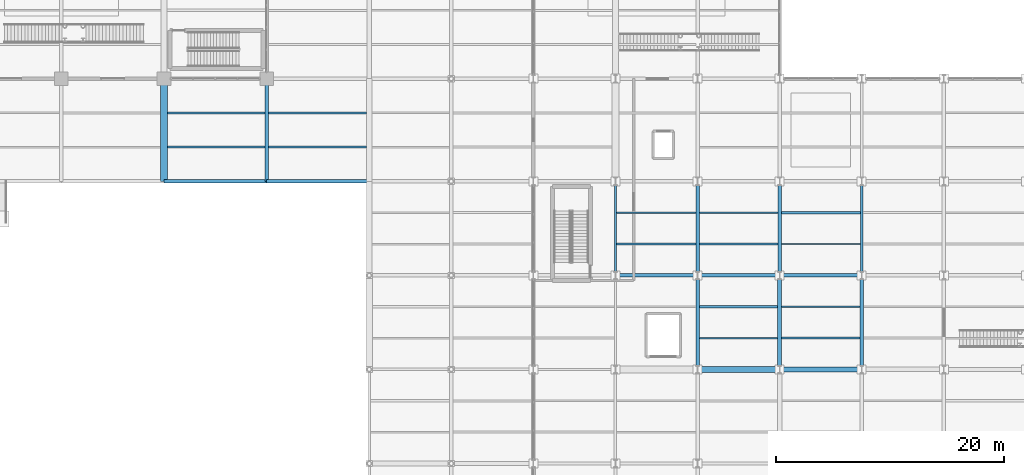
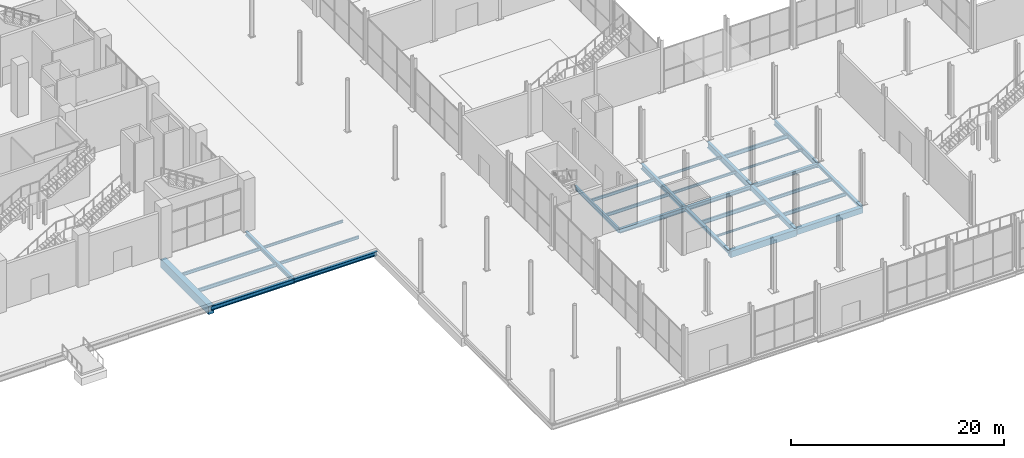
# One storey, part 34 of 144: 30 beams.
"""IFC4 building model written with IfcOpenShell, lengths in metres."""

from ifc_helpers import new_model, si_unit, direction, frame, origin, origin_2d, place, context, subcontext, project, spatial, rectangle, i_section, extrude, material, material_profile, profile_set, type_object, element, save


model = new_model("IFC4")

# Units and contexts
model_context = context("Model", 3, precision=1e-05, world=origin(), true_north=direction((0.0, 1.0)))
body_context = subcontext(model_context, "Body", "Model", "MODEL_VIEW")
ifc_project = project(units=[si_unit("LENGTHUNIT", "METRE"), si_unit("AREAUNIT", "SQUARE_METRE"), si_unit("VOLUMEUNIT", "CUBIC_METRE"), si_unit("PLANEANGLEUNIT", "RADIAN"), si_unit("MASSUNIT", "GRAM", prefix="KILO")], contexts=[model_context])

# Site, building, storey
site_placement = place(None, origin())
site = spatial("IfcSite", under=ifc_project, at=site_placement, CompositionType="ELEMENT")
building_placement = place(site_placement, origin())
building = spatial("IfcBuilding", under=site, at=building_placement, Name="Sundgate Opera House", CompositionType="ELEMENT")
storey_placement = place(building_placement, origin())
storey = spatial("IfcBuildingStorey", under=building, at=storey_placement, Name="L00", CompositionType="ELEMENT", Elevation=0.0)

# Beams
ifc_material_1 = material(Name="Steel S355J2", Category="steel")
ifc_material_profile_1 = material_profile(ifc_material_1, i_section(OverallWidth=0.300048828125, OverallDepth=0.330078125, WebThickness=0.009521484375, FlangeThickness=0.0166015625, at=origin_2d()), Name="HEA 340")
ifc_profile_set_1 = profile_set([ifc_material_profile_1], Name="Steel S355J2")
beam_type_1 = type_object("IfcBeamType", Name="BM-GR-HEA340", PredefinedType="BEAM", material=ifc_profile_set_1)
beam_1_placement = place(storey_placement, frame((124.199951171875, 16.5, -0.485107421875), z_axis=(0.0, 1.0, 0.0), x_axis=(-1.0, 0.0, 0.0)))
element("IfcBeam", 1, at=beam_1_placement, inside=storey, type_object=beam_type_1, Name="L00 Primary N-S Girder B0248", PredefinedType="BEAM", context=body_context, shape_type="SweptSolid", body=[
    extrude(i_section(OverallWidth=0.300048828125, OverallDepth=0.330078125, WebThickness=0.009521484375, FlangeThickness=0.0166015625, at=origin_2d()), origin(), (0.0, 0.0, 1.0), 8.25),
])
ifc_material_2 = material(Name="Steel S355J2", Category="steel")
ifc_material_profile_2 = material_profile(ifc_material_2, i_section(OverallWidth=0.300048828125, OverallDepth=0.389892578125, WebThickness=0.010986328125, FlangeThickness=0.01904296875, at=origin_2d()), Name="HEA 400")
ifc_profile_set_2 = profile_set([ifc_material_profile_2], Name="Steel S355J2")
beam_type_2 = type_object("IfcBeamType", Name="BM-GR-HEA400", PredefinedType="BEAM", material=ifc_profile_set_2)
beam_2_placement = place(storey_placement, frame((117.0, 24.75, -0.514892578125), z_axis=(1.0, 0.0, 0.0), x_axis=(0.0, 1.0, 0.0)))
element("IfcBeam", 2, at=beam_2_placement, inside=storey, type_object=beam_type_2, Name="L00 Primary E-W Girder B0377", PredefinedType="BEAM", context=body_context, shape_type="SweptSolid", body=[
    extrude(i_section(OverallWidth=0.300048828125, OverallDepth=0.389892578125, WebThickness=0.010986328125, FlangeThickness=0.01904296875, at=origin_2d()), origin(), (0.0, 0.0, 1.0), 7.199951171875),
])
ifc_material_3 = material(Name="Steel S355J2", Category="steel")
ifc_material_profile_3 = material_profile(ifc_material_3, i_section(OverallWidth=0.300048828125, OverallDepth=0.43994140625, WebThickness=0.011474609375, FlangeThickness=0.02099609375, at=origin_2d()), Name="HEA 450")
ifc_profile_set_3 = profile_set([ifc_material_profile_3], Name="Steel S355J2")
beam_type_3 = type_object("IfcBeamType", Name="BM-GR-HEA450", PredefinedType="BEAM", material=ifc_profile_set_3)
beam_3_placement = place(storey_placement, frame((109.800048828125, 24.75, -0.5400390625), z_axis=(1.0, 0.0, 0.0), x_axis=(0.0, 1.0, 0.0)))
element("IfcBeam", 3, at=beam_3_placement, inside=storey, type_object=beam_type_3, Name="L00 Primary E-W Girder B0376", PredefinedType="BEAM", context=body_context, shape_type="SweptSolid", body=[
    extrude(i_section(OverallWidth=0.300048828125, OverallDepth=0.43994140625, WebThickness=0.011474609375, FlangeThickness=0.02099609375, at=origin_2d()), origin(), (0.0, 0.0, 1.0), 7.199951171875),
])
ifc_material_4 = material(Name="Steel S355J2", Category="steel")
ifc_material_profile_4 = material_profile(ifc_material_4, i_section(OverallWidth=0.300048828125, OverallDepth=0.489990234375, WebThickness=0.011962890625, FlangeThickness=0.02294921875, at=origin_2d()), Name="HEA 500")
ifc_profile_set_4 = profile_set([ifc_material_profile_4], Name="Steel S355J2")
beam_type_4 = type_object("IfcBeamType", Name="BM-GR-HEA500", PredefinedType="BEAM", material=ifc_profile_set_4)
beam_4_placement = place(storey_placement, frame((102.60009765625, 24.75, -0.56494140625), z_axis=(1.0, 0.0, 0.0), x_axis=(0.0, 1.0, 0.0)))
element("IfcBeam", 4, at=beam_4_placement, inside=storey, type_object=beam_type_4, Name="L00 Primary E-W Girder B0375", PredefinedType="BEAM", context=body_context, shape_type="SweptSolid", body=[
    extrude(i_section(OverallWidth=0.300048828125, OverallDepth=0.489990234375, WebThickness=0.011962890625, FlangeThickness=0.02294921875, at=origin_2d()), origin(), (0.0, 0.0, 1.0), 7.199951171875),
])
ifc_material_5 = material(Name="Steel S355J2", Category="steel")
ifc_material_profile_5 = material_profile(ifc_material_5, i_section(OverallWidth=0.300048828125, OverallDepth=0.590087890625, WebThickness=0.012939453125, FlangeThickness=0.02490234375, at=origin_2d()), Name="HEA 600")
ifc_profile_set_5 = profile_set([ifc_material_profile_5], Name="Steel S355J2")
beam_type_5 = type_object("IfcBeamType", Name="BM-GR-HEA600", PredefinedType="BEAM", material=ifc_profile_set_5)
beam_5_placement = place(storey_placement, frame((109.800048828125, 24.75, -0.614990234375), z_axis=(0.0, 1.0, 0.0), x_axis=(-1.0, 0.0, 0.0)))
element("IfcBeam", 5, at=beam_5_placement, inside=storey, type_object=beam_type_5, Name="L00 Primary N-S Girder B0221", PredefinedType="BEAM", context=body_context, shape_type="SweptSolid", body=[
    extrude(i_section(OverallWidth=0.300048828125, OverallDepth=0.590087890625, WebThickness=0.012939453125, FlangeThickness=0.02490234375, at=origin_2d()), origin(), (0.0, 0.0, 1.0), 8.25),
])
ifc_material_6 = material(Name="Steel S355J2", Category="steel")
ifc_material_profile_6 = material_profile(ifc_material_6, i_section(OverallWidth=0.300048828125, OverallDepth=0.360107421875, WebThickness=0.012451171875, FlangeThickness=0.0224609375, at=origin_2d()), Name="HEB 360")
ifc_profile_set_6 = profile_set([ifc_material_profile_6], Name="Steel S355J2")
beam_type_6 = type_object("IfcBeamType", Name="BM-GR-HEB360", PredefinedType="BEAM", material=ifc_profile_set_6)
beam_6_placement = place(storey_placement, frame((109.800048828125, 16.5, -0.5), z_axis=(0.0, 1.0, 0.0), x_axis=(-1.0, 0.0, 0.0)))
element("IfcBeam", 6, at=beam_6_placement, inside=storey, type_object=beam_type_6, Name="L00 Primary N-S Girder B0220", PredefinedType="BEAM", context=body_context, shape_type="SweptSolid", body=[
    extrude(i_section(OverallWidth=0.300048828125, OverallDepth=0.360107421875, WebThickness=0.012451171875, FlangeThickness=0.0224609375, at=origin_2d()), origin(), (0.0, 0.0, 1.0), 8.25),
])
ifc_material_7 = material(Name="Steel S355J2", Category="steel")
ifc_material_profile_7 = material_profile(ifc_material_7, i_section(OverallWidth=0.300048828125, OverallDepth=0.449951171875, WebThickness=0.013916015625, FlangeThickness=0.02587890625, at=origin_2d()), Name="HEB 450")
ifc_profile_set_7 = profile_set([ifc_material_profile_7], Name="Steel S355J2")
beam_type_7 = type_object("IfcBeamType", Name="BM-GR-HEB450", PredefinedType="BEAM", material=ifc_profile_set_7)
for number, where, z_axis, x_axis, name in (
    (7, (72.0, 33.0, -0.544921875), (0.0, 1.0, 0.0), (-1.0, 0.0, 0.0), "L00 Primary N-S Girder B0152"),
    (8, (72.0, 33.0, -0.544921875), (1.0, 0.0, 0.0), (0.0, 1.0, 0.0), "L00 Primary E-W Girder B0393"),
):
    element("IfcBeam", number, at=place(storey_placement, frame(where, z_axis=z_axis, x_axis=x_axis)), inside=storey, type_object=beam_type_7, Name=name, PredefinedType="BEAM", context=body_context, shape_type="SweptSolid", body=[
        extrude(i_section(OverallWidth=0.300048828125, OverallDepth=0.449951171875, WebThickness=0.013916015625, FlangeThickness=0.02587890625, at=origin_2d()), origin(), (0.0, 0.0, 1.0), 9.0),
    ])
ifc_material_8 = material(Name="Steel S355J2", Category="steel")
ifc_material_profile_8 = material_profile(ifc_material_8, i_section(OverallWidth=0.300048828125, OverallDepth=0.5, WebThickness=0.014404296875, FlangeThickness=0.028076171875, at=origin_2d()), Name="HEB 500")
ifc_profile_set_8 = profile_set([ifc_material_profile_8], Name="Steel S355J2")
beam_type_8 = type_object("IfcBeamType", Name="BM-GR-HEB500", PredefinedType="BEAM", material=ifc_profile_set_8)
beam_7_placement = place(storey_placement, frame((63.0, 33.0, -0.570068359375), z_axis=(1.0, 0.0, 0.0), x_axis=(0.0, 1.0, 0.0)))
element("IfcBeam", 9, at=beam_7_placement, inside=storey, type_object=beam_type_8, Name="L00 Primary E-W Girder B0392", PredefinedType="BEAM", context=body_context, shape_type="SweptSolid", body=[
    extrude(i_section(OverallWidth=0.300048828125, OverallDepth=0.5, WebThickness=0.014404296875, FlangeThickness=0.028076171875, at=origin_2d()), origin(), (0.0, 0.0, 1.0), 9.0),
])
ifc_material_9 = material(Name="Steel S355J2", Category="steel")
ifc_material_profile_9 = material_profile(ifc_material_9, i_section(OverallWidth=0.300048828125, OverallDepth=0.699951171875, WebThickness=0.01708984375, FlangeThickness=0.031982421875, at=origin_2d()), Name="HEB 700")
ifc_profile_set_9 = profile_set([ifc_material_profile_9], Name="Steel S355J2")
beam_type_9 = type_object("IfcBeamType", Name="BM-GR-HEB700", PredefinedType="BEAM", material=ifc_profile_set_9)
beam_8_placement = place(storey_placement, frame((117.0, 24.75, -0.669921875), z_axis=(0.0, 1.0, 0.0), x_axis=(-1.0, 0.0, 0.0)))
element("IfcBeam", 10, at=beam_8_placement, inside=storey, type_object=beam_type_9, Name="L00 Primary N-S Girder B0235", PredefinedType="BEAM", context=body_context, shape_type="SweptSolid", body=[
    extrude(i_section(OverallWidth=0.300048828125, OverallDepth=0.699951171875, WebThickness=0.01708984375, FlangeThickness=0.031982421875, at=origin_2d()), origin(), (0.0, 0.0, 1.0), 8.25),
])
ifc_material_10 = material(Name="Steel S355J2", Category="steel")
ifc_material_profile_10 = material_profile(ifc_material_10, i_section(OverallWidth=0.199951171875, OverallDepth=0.5, WebThickness=0.01025390625, FlangeThickness=0.01611328125, at=origin_2d()), Name="IPE 500")
ifc_profile_set_10 = profile_set([ifc_material_profile_10], Name="Steel S355J2")
beam_type_10 = type_object("IfcBeamType", Name="BM-GR-IPE500", PredefinedType="BEAM", material=ifc_profile_set_10)
beam_9_placement = place(storey_placement, frame((102.60009765625, 24.75, -0.570068359375), z_axis=(0.0, 1.0, 0.0), x_axis=(-1.0, 0.0, 0.0)))
element("IfcBeam", 11, at=beam_9_placement, inside=storey, type_object=beam_type_10, Name="L00 Primary N-S Girder B0207", PredefinedType="BEAM", context=body_context, shape_type="SweptSolid", body=[
    extrude(i_section(OverallWidth=0.199951171875, OverallDepth=0.5, WebThickness=0.01025390625, FlangeThickness=0.01611328125, at=origin_2d()), origin(), (0.0, 0.0, 1.0), 8.25),
])
ifc_material_11 = material(Name="Steel S355J2", Category="steel")
ifc_material_profile_11 = material_profile(ifc_material_11, i_section(OverallWidth=0.219970703125, OverallDepth=0.60009765625, WebThickness=0.011962890625, FlangeThickness=0.01904296875, at=origin_2d()), Name="IPE 600")
ifc_profile_set_11 = profile_set([ifc_material_profile_11], Name="Steel S355J2")
beam_type_11 = type_object("IfcBeamType", Name="BM-GR-IPE600", PredefinedType="BEAM", material=ifc_profile_set_11)
beam_10_placement = place(storey_placement, frame((124.199951171875, 24.75, -0.6201171875), z_axis=(0.0, 1.0, 0.0), x_axis=(-1.0, 0.0, 0.0)))
element("IfcBeam", 12, at=beam_10_placement, inside=storey, type_object=beam_type_11, Name="L00 Primary N-S Girder B0249", PredefinedType="BEAM", context=body_context, shape_type="SweptSolid", body=[
    extrude(i_section(OverallWidth=0.219970703125, OverallDepth=0.60009765625, WebThickness=0.011962890625, FlangeThickness=0.01904296875, at=origin_2d()), origin(), (0.0, 0.0, 1.0), 8.25),
])
ifc_material_12 = material(Name="Steel S355J2", Category="steel")
ifc_material_profile_12 = material_profile(ifc_material_12, i_section(OverallWidth=0.1201171875, OverallDepth=0.239990234375, WebThickness=0.006103515625, FlangeThickness=0.009765625, at=origin_2d()), Name="IPE 240")
ifc_profile_set_12 = profile_set([ifc_material_profile_12], Name="Steel S355J2")
beam_type_12 = type_object("IfcBeamType", Name="BM-JS-IPE240", PredefinedType="JOIST", material=ifc_profile_set_12)
beam_11_placement = place(storey_placement, frame((109.949951171875, 19.25, -0.43994140625), z_axis=(1.0, 0.0, 0.0), x_axis=(0.0, 1.0, 0.0)))
element("IfcBeam", 13, at=beam_11_placement, inside=storey, type_object=beam_type_12, Name="L00 Secondary Floor Joist B0664", PredefinedType="JOIST", context=body_context, shape_type="SweptSolid", body=[
    extrude(i_section(OverallWidth=0.1201171875, OverallDepth=0.239990234375, WebThickness=0.006103515625, FlangeThickness=0.009765625, at=origin_2d()), origin(), (0.0, 0.0, 1.0), 6.875),
])
beam_12_placement = place(storey_placement, frame((117.14990234375, 27.5, -0.43994140625), z_axis=(1.0, 0.0, 0.0), x_axis=(0.0, 1.0, 0.0)))
element("IfcBeam", 14, at=beam_12_placement, inside=storey, type_object=beam_type_12, Name="L00 Secondary Floor Joist B0692", PredefinedType="JOIST", context=body_context, shape_type="SweptSolid", body=[
    extrude(i_section(OverallWidth=0.1201171875, OverallDepth=0.239990234375, WebThickness=0.006103515625, FlangeThickness=0.009765625, at=origin_2d()), origin(), (0.0, 0.0, 1.0), 6.940185546875),
])
ifc_material_13 = material(Name="Steel S355J2", Category="steel")
ifc_material_profile_13 = material_profile(ifc_material_13, i_section(OverallWidth=0.135009765625, OverallDepth=0.27001953125, WebThickness=0.006591796875, FlangeThickness=0.01025390625, at=origin_2d()), Name="IPE 270")
ifc_profile_set_13 = profile_set([ifc_material_profile_13], Name="Steel S355J2")
beam_type_13 = type_object("IfcBeamType", Name="BM-JS-IPE270", PredefinedType="JOIST", material=ifc_profile_set_13)
beam_13_placement = place(storey_placement, frame((109.949951171875, 30.25, -0.455078125), z_axis=(1.0, 0.0, 0.0), x_axis=(0.0, 1.0, 0.0)))
element("IfcBeam", 15, at=beam_13_placement, inside=storey, type_object=beam_type_13, Name="L00 Secondary Floor Joist B0691", PredefinedType="JOIST", context=body_context, shape_type="SweptSolid", body=[
    extrude(i_section(OverallWidth=0.135009765625, OverallDepth=0.27001953125, WebThickness=0.006591796875, FlangeThickness=0.01025390625, at=origin_2d()), origin(), (0.0, 0.0, 1.0), 6.900146484375),
])
ifc_material_14 = material(Name="Steel S355J2", Category="steel")
ifc_material_profile_14 = material_profile(ifc_material_14, i_section(OverallWidth=0.14990234375, OverallDepth=0.300048828125, WebThickness=0.007080078125, FlangeThickness=0.0107421875, at=origin_2d()), Name="IPE 300")
ifc_profile_set_14 = profile_set([ifc_material_profile_14], Name="Steel S355J2")
beam_type_14 = type_object("IfcBeamType", Name="BM-JS-IPE300", PredefinedType="JOIST", material=ifc_profile_set_14)
beam_14_placement = place(storey_placement, frame((109.949951171875, 27.5, -0.469970703125), z_axis=(1.0, 0.0, 0.0), x_axis=(0.0, 1.0, 0.0)))
element("IfcBeam", 16, at=beam_14_placement, inside=storey, type_object=beam_type_14, Name="L00 Secondary Floor Joist B0690", PredefinedType="JOIST", context=body_context, shape_type="SweptSolid", body=[
    extrude(i_section(OverallWidth=0.14990234375, OverallDepth=0.300048828125, WebThickness=0.007080078125, FlangeThickness=0.0107421875, at=origin_2d()), origin(), (0.0, 0.0, 1.0), 6.900146484375),
])
beam_15_placement = place(storey_placement, frame((72.14990234375, 39.0, -0.469970703125), z_axis=(1.0, 0.0, 0.0), x_axis=(0.0, 1.0, 0.0)))
element("IfcBeam", 17, at=beam_15_placement, inside=storey, type_object=beam_type_14, Name="L00 Secondary Floor Joist B0725", PredefinedType="JOIST", context=body_context, shape_type="SweptSolid", body=[
    extrude(i_section(OverallWidth=0.14990234375, OverallDepth=0.300048828125, WebThickness=0.007080078125, FlangeThickness=0.0107421875, at=origin_2d()), origin(), (0.0, 0.0, 1.0), 8.625),
])
ifc_material_15 = material(Name="Steel S355J2", Category="steel")
ifc_material_profile_15 = material_profile(ifc_material_15, i_section(OverallWidth=0.159912109375, OverallDepth=0.330078125, WebThickness=0.007568359375, FlangeThickness=0.011474609375, at=origin_2d()), Name="IPE 330")
ifc_profile_set_15 = profile_set([ifc_material_profile_15], Name="Steel S355J2")
beam_type_15 = type_object("IfcBeamType", Name="BM-JS-IPE330", PredefinedType="JOIST", material=ifc_profile_set_15)
beam_16_placement = place(storey_placement, frame((102.699951171875, 30.25, -0.485107421875), z_axis=(1.0, 0.0, 0.0), x_axis=(0.0, 1.0, 0.0)))
element("IfcBeam", 18, at=beam_16_placement, inside=storey, type_object=beam_type_15, Name="L00 Secondary Floor Joist B0689", PredefinedType="JOIST", context=body_context, shape_type="SweptSolid", body=[
    extrude(i_section(OverallWidth=0.159912109375, OverallDepth=0.330078125, WebThickness=0.007568359375, FlangeThickness=0.011474609375, at=origin_2d()), origin(), (0.0, 0.0, 1.0), 6.949951171875),
])
beam_17_placement = place(storey_placement, frame((72.14990234375, 36.0, -0.485107421875), z_axis=(1.0, 0.0, 0.0), x_axis=(0.0, 1.0, 0.0)))
element("IfcBeam", 19, at=beam_17_placement, inside=storey, type_object=beam_type_15, Name="L00 Secondary Floor Joist B0724", PredefinedType="JOIST", context=body_context, shape_type="SweptSolid", body=[
    extrude(i_section(OverallWidth=0.159912109375, OverallDepth=0.330078125, WebThickness=0.007568359375, FlangeThickness=0.011474609375, at=origin_2d()), origin(), (0.0, 0.0, 1.0), 8.625),
])
ifc_material_16 = material(Name="Steel S355J2", Category="steel")
ifc_material_profile_16 = material_profile(ifc_material_16, i_section(OverallWidth=0.169921875, OverallDepth=0.360107421875, WebThickness=0.008056640625, FlangeThickness=0.0126953125, at=origin_2d()), Name="IPE 360")
ifc_profile_set_16 = profile_set([ifc_material_profile_16], Name="Steel S355J2")
beam_type_16 = type_object("IfcBeamType", Name="BM-JS-IPE360", PredefinedType="JOIST", material=ifc_profile_set_16)
beam_18_placement = place(storey_placement, frame((117.175048828125, 22.0, -0.5), z_axis=(1.0, 0.0, 0.0), x_axis=(0.0, 1.0, 0.0)))
element("IfcBeam", 20, at=beam_18_placement, inside=storey, type_object=beam_type_16, Name="L00 Secondary Floor Joist B0667", PredefinedType="JOIST", context=body_context, shape_type="SweptSolid", body=[
    extrude(i_section(OverallWidth=0.169921875, OverallDepth=0.360107421875, WebThickness=0.008056640625, FlangeThickness=0.0126953125, at=origin_2d()), origin(), (0.0, 0.0, 1.0), 6.875),
])
beam_19_placement = place(storey_placement, frame((102.699951171875, 27.5, -0.5), z_axis=(1.0, 0.0, 0.0), x_axis=(0.0, 1.0, 0.0)))
element("IfcBeam", 21, at=beam_19_placement, inside=storey, type_object=beam_type_16, Name="L00 Secondary Floor Joist B0688", PredefinedType="JOIST", context=body_context, shape_type="SweptSolid", body=[
    extrude(i_section(OverallWidth=0.169921875, OverallDepth=0.360107421875, WebThickness=0.008056640625, FlangeThickness=0.0126953125, at=origin_2d()), origin(), (0.0, 0.0, 1.0), 6.949951171875),
])
beam_20_placement = place(storey_placement, frame((63.300048828125, 39.0, -0.5), z_axis=(1.0, 0.0, 0.0), x_axis=(0.0, 1.0, 0.0)))
element("IfcBeam", 22, at=beam_20_placement, inside=storey, type_object=beam_type_16, Name="L00 Secondary Floor Joist B0723", PredefinedType="JOIST", context=body_context, shape_type="SweptSolid", body=[
    extrude(i_section(OverallWidth=0.169921875, OverallDepth=0.360107421875, WebThickness=0.008056640625, FlangeThickness=0.0126953125, at=origin_2d()), origin(), (0.0, 0.0, 1.0), 8.550048828125),
])
ifc_material_17 = material(Name="Steel S355J2", Category="steel")
ifc_material_profile_17 = material_profile(ifc_material_17, i_section(OverallWidth=0.179931640625, OverallDepth=0.39990234375, WebThickness=0.008544921875, FlangeThickness=0.013427734375, at=origin_2d()), Name="IPE 400")
ifc_profile_set_17 = profile_set([ifc_material_profile_17], Name="Steel S355J2")
beam_type_17 = type_object("IfcBeamType", Name="BM-JS-IPE400", PredefinedType="JOIST", material=ifc_profile_set_17)
beam_21_placement = place(storey_placement, frame((117.175048828125, 19.25, -0.52001953125), z_axis=(1.0, 0.0, 0.0), x_axis=(0.0, 1.0, 0.0)))
element("IfcBeam", 23, at=beam_21_placement, inside=storey, type_object=beam_type_17, Name="L00 Secondary Floor Joist B0666", PredefinedType="JOIST", context=body_context, shape_type="SweptSolid", body=[
    extrude(i_section(OverallWidth=0.179931640625, OverallDepth=0.39990234375, WebThickness=0.008544921875, FlangeThickness=0.013427734375, at=origin_2d()), origin(), (0.0, 0.0, 1.0), 6.875),
])
beam_22_placement = place(storey_placement, frame((63.300048828125, 36.0, -0.52001953125), z_axis=(1.0, 0.0, 0.0), x_axis=(0.0, 1.0, 0.0)))
element("IfcBeam", 24, at=beam_22_placement, inside=storey, type_object=beam_type_17, Name="L00 Secondary Floor Joist B0722", PredefinedType="JOIST", context=body_context, shape_type="SweptSolid", body=[
    extrude(i_section(OverallWidth=0.179931640625, OverallDepth=0.39990234375, WebThickness=0.008544921875, FlangeThickness=0.013427734375, at=origin_2d()), origin(), (0.0, 0.0, 1.0), 8.550048828125),
])
ifc_material_18 = material(Name="Steel S355J2", Category="steel")
ifc_material_profile_18 = material_profile(ifc_material_18, i_section(OverallWidth=0.18994140625, OverallDepth=0.449951171875, WebThickness=0.009521484375, FlangeThickness=0.0146484375, at=origin_2d()), Name="IPE 450")
ifc_profile_set_18 = profile_set([ifc_material_profile_18], Name="Steel S355J2")
beam_type_18 = type_object("IfcBeamType", Name="BM-JS-IPE450", PredefinedType="JOIST", material=ifc_profile_set_18)
beam_23_placement = place(storey_placement, frame((109.949951171875, 22.0, -0.544921875), z_axis=(1.0, 0.0, 0.0), x_axis=(0.0, 1.0, 0.0)))
element("IfcBeam", 25, at=beam_23_placement, inside=storey, type_object=beam_type_18, Name="L00 Secondary Floor Joist B0665", PredefinedType="JOIST", context=body_context, shape_type="SweptSolid", body=[
    extrude(i_section(OverallWidth=0.18994140625, OverallDepth=0.449951171875, WebThickness=0.009521484375, FlangeThickness=0.0146484375, at=origin_2d()), origin(), (0.0, 0.0, 1.0), 6.875),
])
beam_24_placement = place(storey_placement, frame((117.14990234375, 30.25, -0.544921875), z_axis=(1.0, 0.0, 0.0), x_axis=(0.0, 1.0, 0.0)))
element("IfcBeam", 26, at=beam_24_placement, inside=storey, type_object=beam_type_18, Name="L00 Secondary Floor Joist B0693", PredefinedType="JOIST", context=body_context, shape_type="SweptSolid", body=[
    extrude(i_section(OverallWidth=0.18994140625, OverallDepth=0.449951171875, WebThickness=0.009521484375, FlangeThickness=0.0146484375, at=origin_2d()), origin(), (0.0, 0.0, 1.0), 6.940185546875),
])
ifc_material_19 = material(Name="Concrete C35/45", Category="concrete")
ifc_material_profile_19 = material_profile(ifc_material_19, rectangle(XDim=0.35009765625, YDim=0.550048828125, at=origin_2d()), Name="RC 350x550")
ifc_profile_set_19 = profile_set([ifc_material_profile_19], Name="Concrete C35/45")
beam_type_19 = type_object("IfcBeamType", Name="BM-RC-350x550", PredefinedType="BEAM", material=ifc_profile_set_19)
beam_25_placement = place(storey_placement, frame((117.0, 16.5, -0.594970703125), z_axis=(0.0, 1.0, 0.0), x_axis=(-1.0, 0.0, 0.0)))
element("IfcBeam", 27, at=beam_25_placement, inside=storey, type_object=beam_type_19, Name="L00 Primary N-S Girder B0234", PredefinedType="BEAM", context=body_context, shape_type="SweptSolid", body=[
    extrude(rectangle(XDim=0.35009765625, YDim=0.550048828125, at=origin_2d()), origin(), (0.0, 0.0, 1.0), 8.25),
])
ifc_material_20 = material(Name="Concrete C35/45", Category="concrete")
ifc_material_profile_20 = material_profile(ifc_material_20, rectangle(XDim=0.449951171875, YDim=0.64990234375, at=origin_2d()), Name="RC 450x650")
ifc_profile_set_20 = profile_set([ifc_material_profile_20], Name="Concrete C35/45")
beam_type_20 = type_object("IfcBeamType", Name="BM-RC-450x650", PredefinedType="BEAM", material=ifc_profile_set_20)
beam_26_placement = place(storey_placement, frame((117.0, 16.5, -0.64501953125), z_axis=(1.0, 0.0, 0.0), x_axis=(0.0, 1.0, 0.0)))
element("IfcBeam", 28, at=beam_26_placement, inside=storey, type_object=beam_type_20, Name="L00 Primary E-W Girder B0363", PredefinedType="BEAM", context=body_context, shape_type="SweptSolid", body=[
    extrude(rectangle(XDim=0.449951171875, YDim=0.64990234375, at=origin_2d()), origin(), (0.0, 0.0, 1.0), 7.199951171875),
])
ifc_material_21 = material(Name="Concrete C40/50", Category="concrete")
ifc_material_profile_21 = material_profile(ifc_material_21, rectangle(XDim=0.5, YDim=0.75, at=origin_2d()), Name="RC 500x750")
ifc_profile_set_21 = profile_set([ifc_material_profile_21], Name="Concrete C40/50")
beam_type_21 = type_object("IfcBeamType", Name="BM-RC-500x750", PredefinedType="BEAM", material=ifc_profile_set_21)
beam_27_placement = place(storey_placement, frame((109.800048828125, 16.5, -0.695068359375), z_axis=(1.0, 0.0, 0.0), x_axis=(0.0, 1.0, 0.0)))
element("IfcBeam", 29, at=beam_27_placement, inside=storey, type_object=beam_type_21, Name="L00 Primary E-W Girder B0362", PredefinedType="BEAM", context=body_context, shape_type="SweptSolid", body=[
    extrude(rectangle(XDim=0.5, YDim=0.75, at=origin_2d()), origin(), (0.0, 0.0, 1.0), 7.199951171875),
])
ifc_material_22 = material(Name="Concrete C40/50", Category="concrete")
ifc_material_profile_22 = material_profile(ifc_material_22, rectangle(XDim=0.60009765625, YDim=0.949951171875, at=origin_2d()), Name="RC 600x950")
ifc_profile_set_22 = profile_set([ifc_material_profile_22], Name="Concrete C40/50")
beam_type_22 = type_object("IfcBeamType", Name="BM-RC-600x950", PredefinedType="BEAM", material=ifc_profile_set_22)
beam_28_placement = place(storey_placement, frame((63.0, 33.0, -0.794921875), z_axis=(0.0, 1.0, 0.0), x_axis=(-1.0, 0.0, 0.0)))
element("IfcBeam", 30, at=beam_28_placement, inside=storey, type_object=beam_type_22, Name="L00 Primary N-S Girder B0142", PredefinedType="BEAM", context=body_context, shape_type="SweptSolid", body=[
    extrude(rectangle(XDim=0.60009765625, YDim=0.949951171875, at=origin_2d()), origin(), (0.0, 0.0, 1.0), 9.0),
])

save(model, "model.ifc")
